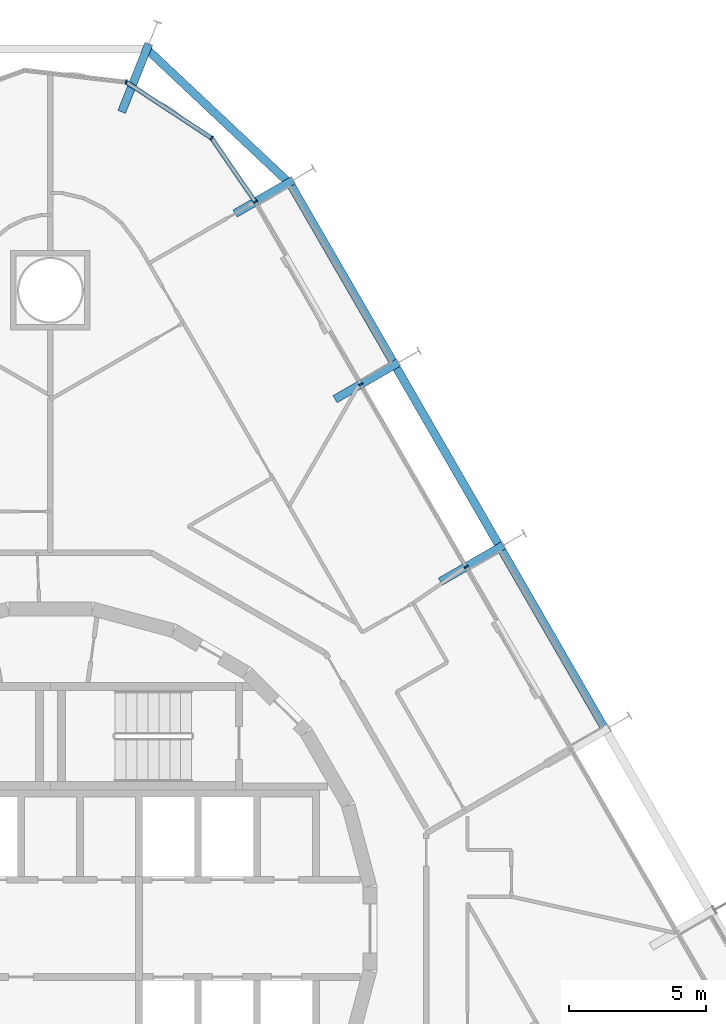
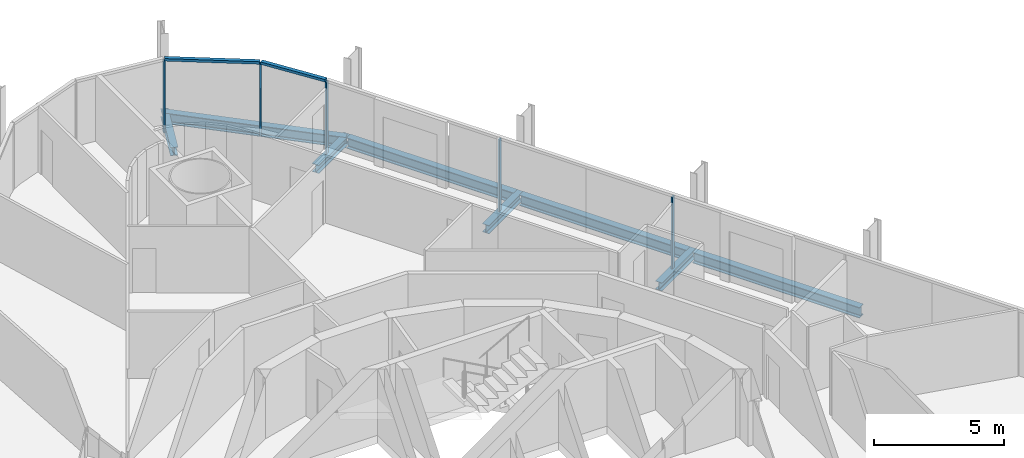
# One storey, part 10 of 21: 8 beams, 7 members, 2 elements without a shape of their own.
"""IFC4 building model written with IfcOpenShell, lengths in metres."""

from ifc_helpers import new_model, si_unit, direction, frame, origin, origin_2d, place, context, subcontext, project, spatial, rectangle, i_section, extrude, material, layer, layer_set, material_profile, profile_set, type_object, element, aggregate, save


model = new_model("IFC4")

# Units and contexts
model_context = context("Model", 3, precision=1e-05, world=origin(), true_north=direction((0.0, 1.0)))
body_context = subcontext(model_context, "Body", "Model", "MODEL_VIEW")
ifc_project = project(units=[si_unit("LENGTHUNIT", "METRE"), si_unit("AREAUNIT", "SQUARE_METRE"), si_unit("VOLUMEUNIT", "CUBIC_METRE"), si_unit("PLANEANGLEUNIT", "RADIAN"), si_unit("MASSUNIT", "GRAM", prefix="KILO")], contexts=[model_context])

# Site, building, storey
site_placement = place(None, origin())
site = spatial("IfcSite", under=ifc_project, at=site_placement, CompositionType="ELEMENT")
building_placement = place(site_placement, origin())
building = spatial("IfcBuilding", under=site, at=building_placement, Name="Spindle Arch Residences", CompositionType="ELEMENT")
storey_placement = place(building_placement, frame((0.0, 0.0, 48.89990234375)))
storey = spatial("IfcBuildingStorey", under=building, at=storey_placement, Name="L10", CompositionType="ELEMENT", Elevation=48.89990234375)

# Curtain wall, members
ifc_material_1 = material(Name="Aluminium bronze unitised frame with tinted glass", Category="aluminium")
ifc_layer_1 = layer(ifc_material_1, 0.159912109375)
ifc_layer_set_1 = layer_set([ifc_layer_1], Name="CW-C typical residential unitised wall")
curtain_wall_type_1 = type_object("IfcCurtainWallType", Name="CW-C typical residential unitised wall", PredefinedType="NOTDEFINED", material=ifc_layer_set_1)
curtain_wall_1_placement = place(storey_placement, origin())
curtain_wall_1 = element("IfcCurtainWall", 1, at=curtain_wall_1_placement, inside=storey, type_object=curtain_wall_type_1, Name="CW-C L10 run 2", PredefinedType="NOTDEFINED")
ifc_material_2 = material(Name="Aluminium bronze anodised mullion", Category="aluminium")
ifc_material_profile_1 = material_profile(ifc_material_2, rectangle(XDim=0.159912109375, YDim=0.06005859375, at=origin_2d()), Name="MU 60x160")
ifc_profile_set_1 = profile_set([ifc_material_profile_1], Name="Aluminium bronze anodised mullion")
member_type_1 = type_object("IfcMemberType", Name="Bronze mullion 60x160", PredefinedType="MULLION", material=ifc_profile_set_1)
member_1_placement = place(storey_placement, frame((15.149169921875, 13.180419921875, -0.3798828125), z_axis=(0.0, 0.0, 1.0), x_axis=(-0.866025403784, -0.5, 0.0)))
member_1 = element("IfcMember", 2, at=member_1_placement, type_object=member_type_1, Name="CW-C mullion 08", PredefinedType="MULLION", context=body_context, shape_type="SweptSolid", body=[
    extrude(rectangle(XDim=0.159912109375, YDim=0.06005859375, at=origin_2d()), origin(), (0.0, 0.0, 1.0), 3.3798828125),
])
member_2_placement = place(storey_placement, frame((11.309326171875, 19.83154296875, -0.3798828125), z_axis=(0.0, 0.0, 1.0), x_axis=(-0.866025403784, -0.5, 0.0)))
member_2 = element("IfcMember", 3, at=member_2_placement, type_object=member_type_1, Name="CW-C mullion 09", PredefinedType="MULLION", context=body_context, shape_type="SweptSolid", body=[
    extrude(rectangle(XDim=0.159912109375, YDim=0.06005859375, at=origin_2d()), origin(), (0.0, 0.0, 1.0), 3.3798828125),
])
aggregate(curtain_wall_1, [member_1, member_2])

ifc_material_3 = material(Name="Aluminium bronze unitised frame with tinted glass", Category="aluminium")
ifc_layer_2 = layer(ifc_material_3, 0.159912109375)
ifc_layer_set_2 = layer_set([ifc_layer_2], Name="CW-D corner wall on the fillet arcs")
curtain_wall_type_2 = type_object("IfcCurtainWallType", Name="CW-D corner wall on the fillet arcs", PredefinedType="NOTDEFINED", material=ifc_layer_set_2)
curtain_wall_2_placement = place(storey_placement, origin())
curtain_wall_2 = element("IfcCurtainWall", 4, at=curtain_wall_2_placement, inside=storey, type_object=curtain_wall_type_2, Name="CW-D L10 run 3", PredefinedType="NOTDEFINED")
member_3_placement = place(storey_placement, frame((7.46923828125, 26.48291015625, -0.3798828125), z_axis=(0.0, 0.0, 1.0), x_axis=(-0.824747802142, -0.565500718711, 0.0)))
member_3 = element("IfcMember", 5, at=member_3_placement, type_object=member_type_1, Name="CW-D mullion 00", PredefinedType="MULLION", context=body_context, shape_type="SweptSolid", body=[
    extrude(rectangle(XDim=0.159912109375, YDim=0.06005859375, at=origin_2d()), origin(), (0.0, 0.0, 1.0), 3.3798828125),
])
member_4_placement = place(storey_placement, frame((5.877197265625, 28.8046875, -0.3798828125), z_axis=(0.0, 0.0, 1.0), x_axis=(-0.549508977628, -0.835487811704, 0.0)))
member_4 = element("IfcMember", 6, at=member_4_placement, type_object=member_type_1, Name="CW-D mullion 01", PredefinedType="MULLION", context=body_context, shape_type="SweptSolid", body=[
    extrude(rectangle(XDim=0.159912109375, YDim=0.06005859375, at=origin_2d()), origin(), (0.0, 0.0, 1.0), 3.3798828125),
])
member_5_placement = place(storey_placement, frame((2.763427734375, 30.8525390625, -0.3798828125), z_axis=(0.0, 0.0, 1.0), x_axis=(-0.116092915414, -0.993238357591, 0.0)))
member_5 = element("IfcMember", 7, at=member_5_placement, type_object=member_type_1, Name="CW-D mullion 02", PredefinedType="MULLION", context=body_context, shape_type="SweptSolid", body=[
    extrude(rectangle(XDim=0.159912109375, YDim=0.06005859375, at=origin_2d()), origin(), (0.0, 0.0, 1.0), 3.3798828125),
])
ifc_material_4 = material(Name="Aluminium bronze anodised transom", Category="aluminium")
ifc_material_profile_2 = material_profile(ifc_material_4, rectangle(XDim=0.159912109375, YDim=0.1201171875, at=origin_2d()), Name="TR 120x160")
ifc_profile_set_2 = profile_set([ifc_material_profile_2], Name="Aluminium bronze anodised transom")
member_type_2 = type_object("IfcMemberType", Name="Bronze transom 120x160", PredefinedType="USERDEFINED", material=ifc_profile_set_2)
member_6_placement = place(storey_placement, frame((7.4521484375, 26.507568359375, 3.06005859375), z_axis=(-0.565490471855, 0.824754827958, 0.0), x_axis=(-0.824754827958, -0.565490471855, 0.0)))
member_6 = element("IfcMember", 8, at=member_6_placement, type_object=member_type_2, Name="CW-D transom 00", ObjectType="TRANSOM", PredefinedType="USERDEFINED", context=body_context, shape_type="SweptSolid", body=[
    extrude(rectangle(XDim=0.159912109375, YDim=0.1201171875, at=origin_2d()), origin(), (0.0, 0.0, 1.0), 2.75537109375),
])
member_7_placement = place(storey_placement, frame((5.85205078125, 28.821044921875, 3.06005859375), z_axis=(-0.835486265536, 0.549511328456, 0.0), x_axis=(-0.549511328456, -0.835486265536, 0.0)))
member_7 = element("IfcMember", 9, at=member_7_placement, type_object=member_type_2, Name="CW-D transom 01", ObjectType="TRANSOM", PredefinedType="USERDEFINED", context=body_context, shape_type="SweptSolid", body=[
    extrude(rectangle(XDim=0.159912109375, YDim=0.1201171875, at=origin_2d()), origin(), (0.0, 0.0, 1.0), 3.666748046875),
])
aggregate(curtain_wall_2, [member_3, member_6, member_4, member_7, member_5])

# Beams
ifc_material_5 = material(Name="Steel S460ML, intumescent coating R 120", Category="steel")
ifc_material_profile_3 = material_profile(ifc_material_5, i_section(OverallWidth=0.300048828125, OverallDepth=0.5, WebThickness=0.014404296875, FlangeThickness=0.028076171875, FilletRadius=0.027099609375, at=origin_2d()), Name="HEB 500")
ifc_profile_set_3 = profile_set([ifc_material_profile_3], Name="Steel S460ML, intumescent coating R 120")
beam_type_1 = type_object("IfcBeamType", Name="Exoskeleton edge beam HEB 500", PredefinedType="BEAM", material=ifc_profile_set_3)
for number, where, z_axis, x_axis, name in (
    (10, (20.165283203125, 7.3583984375, -0.6298828125), (-0.5000139068, 0.866017374541, 0.0), (-0.866017374541, -0.5000139068, 0.0), "Exoskeleton edge beam 8"),
    (11, (16.3251953125, 14.009521484375, -0.6298828125), (-0.49998923004, 0.866031621735, 0.0), (-0.866031621735, -0.49998923004, 0.0), "Exoskeleton edge beam 9"),
):
    element("IfcBeam", number, at=place(storey_placement, frame(where, z_axis=z_axis, x_axis=x_axis)), inside=storey, type_object=beam_type_1, Name=name, PredefinedType="BEAM", context=body_context, shape_type="SweptSolid", body=[
        extrude(i_section(OverallWidth=0.300048828125, OverallDepth=0.5, WebThickness=0.014404296875, FlangeThickness=0.028076171875, FilletRadius=0.027099609375, at=origin_2d()), origin(), (0.0, 0.0, 1.0), 7.420166015625),
    ])
beam_1_placement = place(storey_placement, frame((12.485107421875, 20.660888671875, -0.6298828125), z_axis=(-0.500003477455, 0.866023396066, 0.0), x_axis=(-0.866023396066, -0.500003477455, 0.0)))
element("IfcBeam", 12, at=beam_1_placement, inside=storey, type_object=beam_type_1, Name="Exoskeleton edge beam 10", PredefinedType="BEAM", context=body_context, shape_type="SweptSolid", body=[
    extrude(i_section(OverallWidth=0.300048828125, OverallDepth=0.5, WebThickness=0.014404296875, FlangeThickness=0.028076171875, FilletRadius=0.027099609375, at=origin_2d()), origin(), (0.0, 0.0, 1.0), 7.419921875),
])
beam_2_placement = place(storey_placement, frame((8.739501953125, 27.13818359375, -0.6298828125), z_axis=(-0.728394714383, 0.685157748303, 0.0), x_axis=(-0.685157748303, -0.728394714383, 0.0)))
element("IfcBeam", 13, at=beam_2_placement, inside=storey, type_object=beam_type_1, Name="Exoskeleton edge beam 11", PredefinedType="BEAM", context=body_context, shape_type="SweptSolid", body=[
    extrude(i_section(OverallWidth=0.300048828125, OverallDepth=0.5, WebThickness=0.014404296875, FlangeThickness=0.028076171875, FilletRadius=0.027099609375, at=origin_2d()), origin(), (0.0, 0.0, 1.0), 7.250244140625),
])
ifc_material_6 = material(Name="Steel S460ML, intumescent coating R 120", Category="steel")
ifc_material_profile_4 = material_profile(ifc_material_6, i_section(OverallWidth=0.300048828125, OverallDepth=0.389892578125, WebThickness=0.010986328125, FlangeThickness=0.01904296875, FilletRadius=0.027099609375, at=origin_2d()), Name="HEA 400")
ifc_profile_set_4 = profile_set([ifc_material_profile_4], Name="Steel S460ML, intumescent coating R 120")
beam_type_2 = type_object("IfcBeamType", Name="Floor outrigger HEA 400", PredefinedType="BEAM", material=ifc_profile_set_4)
for number, where, z_axis, x_axis, name in (
    (14, (16.5087890625, 13.965576171875, -0.574951171875), (-0.865989200783, -0.500062700197, 0.0), (0.500062700197, -0.865989200783, 0.0), "Floor outrigger 9"),
    (15, (12.6689453125, 20.61669921875, -0.574951171875), (-0.866052124492, -0.499953715521, 0.0), (0.499953715521, -0.866052124492, 0.0), "Floor outrigger 10"),
):
    element("IfcBeam", number, at=place(storey_placement, frame(where, z_axis=z_axis, x_axis=x_axis)), inside=storey, type_object=beam_type_2, Name=name, PredefinedType="BEAM", context=body_context, shape_type="SweptSolid", body=[
        extrude(i_section(OverallWidth=0.300048828125, OverallDepth=0.389892578125, WebThickness=0.010986328125, FlangeThickness=0.01904296875, FilletRadius=0.027099609375, at=origin_2d()), origin(), (0.0, 0.0, 1.0), 2.650146484375),
    ])
beam_3_placement = place(storey_placement, frame((8.828857421875, 27.267822265625, -0.574951171875), z_axis=(-0.866002732682, -0.500039265445, 0.0), x_axis=(0.500039265445, -0.866002732682, 0.0)))
element("IfcBeam", 16, at=beam_3_placement, inside=storey, type_object=beam_type_2, Name="Floor outrigger 11", PredefinedType="BEAM", context=body_context, shape_type="SweptSolid", body=[
    extrude(i_section(OverallWidth=0.300048828125, OverallDepth=0.389892578125, WebThickness=0.010986328125, FlangeThickness=0.01904296875, FilletRadius=0.027099609375, at=origin_2d()), origin(), (0.0, 0.0, 1.0), 2.423583984375),
])
beam_4_placement = place(storey_placement, frame((3.581298828125, 32.220703125, -0.574951171875), z_axis=(-0.371104734129, -0.928591016706, 0.0), x_axis=(0.928591016706, -0.371104734129, 0.0)))
element("IfcBeam", 17, at=beam_4_placement, inside=storey, type_object=beam_type_2, Name="Floor outrigger 12", PredefinedType="BEAM", context=body_context, shape_type="SweptSolid", body=[
    extrude(i_section(OverallWidth=0.300048828125, OverallDepth=0.389892578125, WebThickness=0.010986328125, FlangeThickness=0.01904296875, FilletRadius=0.027099609375, at=origin_2d()), origin(), (0.0, 0.0, 1.0), 2.64990234375),
])

save(model, "model.ifc")
